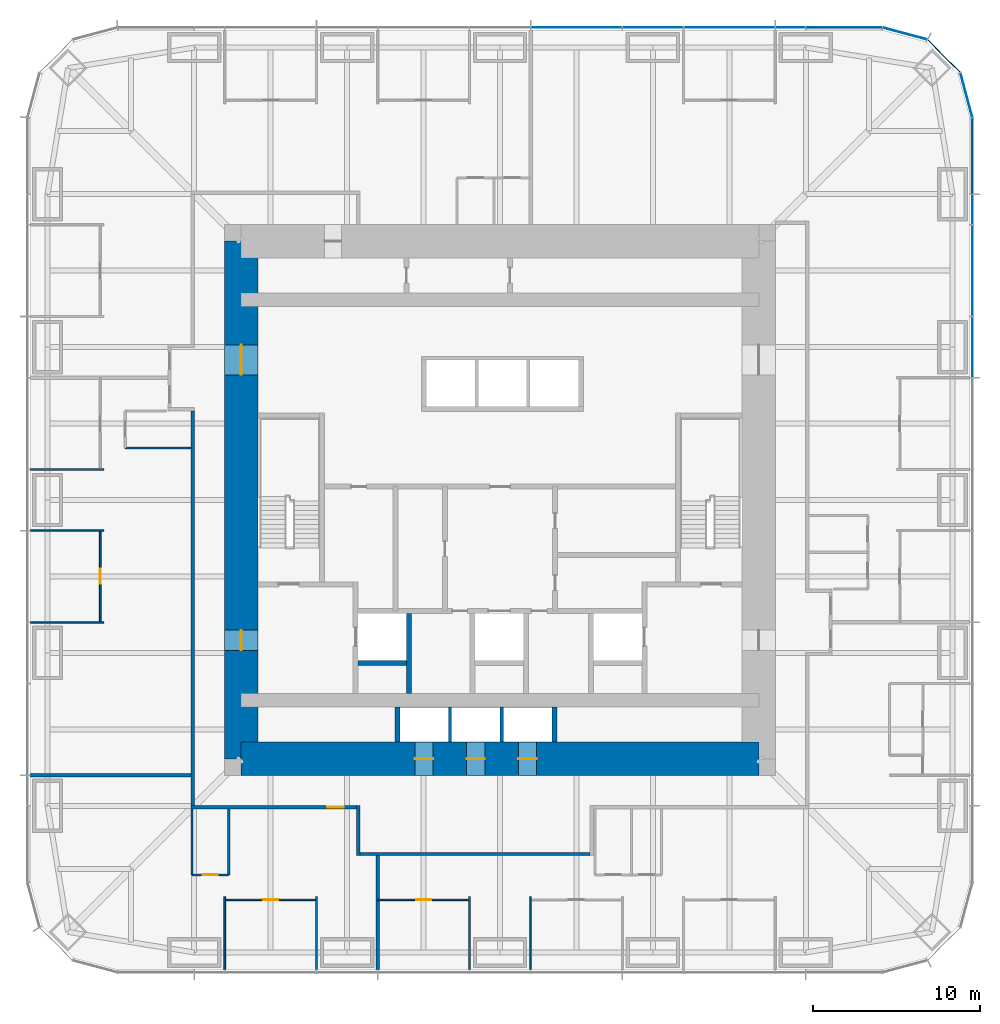
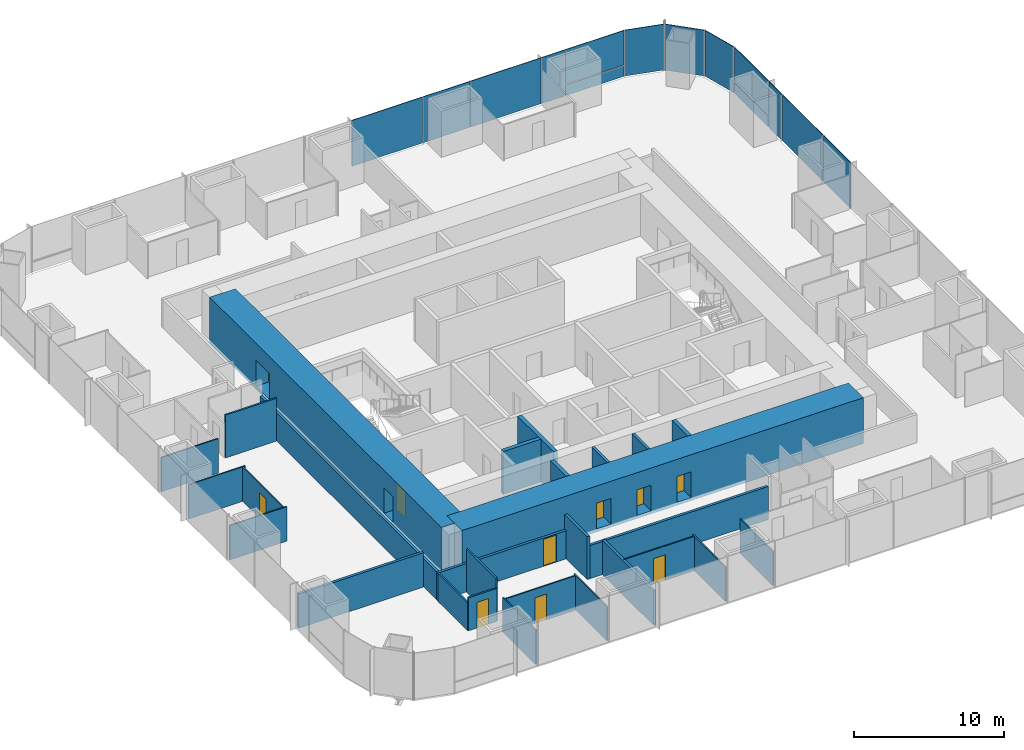
# One storey, part 7 of 11: 28 walls, 14 plates, 10 doors, 10 openings, 3 elements without a shape of their own.
"""IFC4 building model written with IfcOpenShell, lengths in metres."""

import ifcopenshell
import ifcopenshell.guid

model = None  # the IFC model being written
_history = None  # IfcOwnerHistory: only IFC2X3 demands one
_inside = {}  # id of a spatial element -> (the spatial element, [elements in it])
_under = {}  # id of a project, library or spatial element -> (it, [spatial elements below it])
_declared = {}  # id of a project -> (the project, [libraries it declares])
_typed = {}  # id of a type object -> (the type object, [elements of that type])
_made_of = {}  # id of a material, layer set ... -> (it, [elements and type objects made of it])


def new_model(schema):
    """Start an empty IFC model of exactly this schema.

    Asked for "IFC4X3", IfcOpenShell would pick the latest addendum, in which some entities
    have other attributes; the version numbers below select the first issue.
    IFC2X3 requires an IfcOwnerHistory on every rooted entity: one is made here for all.
    """
    global model, _history
    if schema == "IFC4X3":
        model = ifcopenshell.file(schema_version=(4, 3, 0, 0))
    else:
        model = ifcopenshell.file(schema=schema)
    _inside.clear()
    _under.clear()
    _declared.clear()
    _typed.clear()
    _made_of.clear()
    _history = None
    if model.schema == "IFC2X3":
        org = make("IfcOrganization", Name="unknown")
        user = make(
            "IfcPersonAndOrganization",
            ThePerson=make("IfcPerson", FamilyName="unknown"),
            TheOrganization=org,
        )
        app = make(
            "IfcApplication",
            ApplicationDeveloper=org,
            Version="unknown",
            ApplicationFullName="unknown",
            ApplicationIdentifier="unknown",
        )
        _history = make(
            "IfcOwnerHistory",
            OwningUser=user,
            OwningApplication=app,
            ChangeAction="ADDED",
            CreationDate=0,
        )
    return model


def make(cls, **values):
    """One entity of the class cls with the attributes given. An attribute that is None is left unset."""
    return model.create_entity(
        cls, **{name: value for name, value in values.items() if value is not None}
    )


def rooted(cls, **values):
    """An entity with a GlobalId (a new one), such as an element, a storey or a relation."""
    return make(cls, GlobalId=ifcopenshell.guid.new(), OwnerHistory=_history, **values)


def si_unit(unit_type, name, prefix=None):
    """IfcSIUnit, for example si_unit("LENGTHUNIT", "METRE", prefix="MILLI")."""
    return make("IfcSIUnit", UnitType=unit_type, Prefix=prefix, Name=name)


def assignment(units):
    """IfcUnitAssignment: the units of a project."""
    return None if units is None else make("IfcUnitAssignment", Units=units)


def point(xyz):
    """IfcCartesianPoint."""
    return None if xyz is None else make("IfcCartesianPoint", Coordinates=xyz)


def direction(xyz):
    """IfcDirection."""
    return None if xyz is None else make("IfcDirection", DirectionRatios=xyz)


def frame(location, z_axis=None, x_axis=None):
    """IfcAxis2Placement3D, a coordinate frame: its origin and axes. An axis left out is left unset."""
    return make(
        "IfcAxis2Placement3D",
        Location=point(location),
        Axis=direction(z_axis),
        RefDirection=direction(x_axis),
    )


def frame_2d(location, x_axis=None):
    """IfcAxis2Placement2D, a coordinate frame in the plane: its origin and x axis."""
    return make(
        "IfcAxis2Placement2D", Location=point(location), RefDirection=direction(x_axis)
    )


def origin():
    """The frame at (0, 0, 0) with its axes left unset."""
    return frame((0.0, 0.0, 0.0))


def origin_2d():
    """The frame at (0, 0) in the plane with its x axis left unset."""
    return frame_2d((0.0, 0.0))


def place(relative_to, where):
    """IfcLocalPlacement: puts the frame where relative to a parent placement (None: the world)."""
    return make(
        "IfcLocalPlacement", PlacementRelTo=relative_to, RelativePlacement=where
    )


def context(
    kind, dimensions, precision=None, world=None, true_north=None, identifier=None
):
    """IfcGeometricRepresentationContext, for example the 3D "Model" context."""
    return make(
        "IfcGeometricRepresentationContext",
        ContextIdentifier=identifier,
        ContextType=kind,
        CoordinateSpaceDimension=dimensions,
        Precision=precision,
        WorldCoordinateSystem=world,
        TrueNorth=true_north,
    )


def subcontext(parent, identifier, kind, view, scale=None):
    """IfcGeometricRepresentationSubContext, for example "Body" below "Model"."""
    return make(
        "IfcGeometricRepresentationSubContext",
        ContextIdentifier=identifier,
        ContextType=kind,
        ParentContext=parent,
        TargetScale=scale,
        TargetView=view,
    )


def project(units=None, contexts=None):
    """IfcProject with its units and contexts."""
    return rooted(
        "IfcProject",
        Name="project",
        RepresentationContexts=contexts,
        UnitsInContext=assignment(units),
    )


def spatial(cls, under=None, at=None, **own):
    """A site, building, storey or space (cls), placed at a placement, below another one or the project."""
    s = rooted(cls, ObjectPlacement=at, **own)
    if under is not None:
        _under.setdefault(under.id(), (under, []))[1].append(s)
    return s


def profile(cls, at=None, kind="AREA", **sizes):
    """A parametric profile (cls). Its sizes go by their IFC names, for example OverallWidth=200.0."""
    return make(cls, ProfileType=kind, Position=at, **sizes)


def rectangle(**sizes):
    """IfcRectangleProfileDef."""
    return profile("IfcRectangleProfileDef", **sizes)


def extrude(swept, where, along, depth):
    """IfcExtrudedAreaSolid: the profile swept, set in the frame where, extruded along a direction by depth."""
    return make(
        "IfcExtrudedAreaSolid",
        SweptArea=swept,
        Position=where,
        ExtrudedDirection=direction(along),
        Depth=depth,
    )


def shape(context_of_items, identifier, shape_type, items):
    """IfcShapeRepresentation: the items that make up one representation, for example the "Body"."""
    return make(
        "IfcShapeRepresentation",
        ContextOfItems=context_of_items,
        RepresentationIdentifier=identifier,
        RepresentationType=shape_type,
        Items=items,
    )


def material(Name=None, Category=None):
    """IfcMaterial."""
    return make("IfcMaterial", Name=Name, Category=Category)


def layer(
    of_material, thickness, ventilated=None, Name=None, Category=None, Priority=None
):
    """IfcMaterialLayer: one layer of a wall or slab, of a material (None: an air gap)."""
    return make(
        "IfcMaterialLayer",
        Material=of_material,
        LayerThickness=thickness,
        IsVentilated=ventilated,
        Name=Name,
        Category=Category,
        Priority=Priority,
    )


def layer_set(layers, Name=None):
    """IfcMaterialLayerSet."""
    return make("IfcMaterialLayerSet", MaterialLayers=layers, LayerSetName=Name)


def made_of(thing, what):
    """Note that an element or type object is made of a material, layer set ...; save() writes the relation."""
    if what is not None:
        _made_of.setdefault(what.id(), (what, []))[1].append(thing)
    return thing


def type_object(cls, material=None, **own):
    """A type object (cls), such as IfcWallType, which elements share."""
    return made_of(rooted(cls, **own), material)


def element(
    cls,
    number,
    at=None,
    inside=None,
    cuts=None,
    type_object=None,
    material=None,
    context=None,
    identifier="Body",
    shape_type=None,
    held_by="IfcProductDefinitionShape",
    body=None,
    shapes=None,
    **own,
):
    """One element of the class cls, such as IfcWall. Its Tag is "e" and its number.

    at: its placement. inside: the storey or other place that contains it. cuts: it is an
    opening in that element (IfcRelVoidsElement). A single representation is given by context,
    identifier, shape_type and body (its items); several are given by shapes. held_by: the class
    of the entity that holds the representations. save() writes the other relations.
    """
    e = rooted(cls, Tag="e%d" % number, ObjectPlacement=at, **own)
    if body is not None:
        shapes = [shape(context, identifier, shape_type, body)]
    if shapes is not None:
        e.Representation = make(held_by, Representations=shapes)
    if inside is not None:
        _inside.setdefault(inside.id(), (inside, []))[1].append(e)
    if cuts is not None:
        rooted(
            "IfcRelVoidsElement", RelatingBuildingElement=cuts, RelatedOpeningElement=e
        )
    if type_object is not None:
        _typed.setdefault(type_object.id(), (type_object, []))[1].append(e)
    return made_of(e, material)


def fill(opening, filler):
    """IfcRelFillsElement: the door or window that sits in an opening."""
    return rooted(
        "IfcRelFillsElement",
        RelatingOpeningElement=opening,
        RelatedBuildingElement=filler,
    )


def aggregate(whole, parts):
    """IfcRelAggregates: a whole, such as a stair, and the parts it consists of."""
    return rooted("IfcRelAggregates", RelatingObject=whole, RelatedObjects=parts)


def save(model, path):
    """Write the relations noted so far, then the file.

    IfcRelAggregates (storeys below a building ...), IfcRelContainedInSpatialStructure (elements
    in a storey), IfcRelDefinesByType, IfcRelAssociatesMaterial and IfcRelDeclares: one each for
    every whole, place, type object, material and project.
    """
    for whole, parts in _under.values():
        aggregate(whole, parts)
    for where, things in _inside.values():
        rooted(
            "IfcRelContainedInSpatialStructure",
            RelatedElements=things,
            RelatingStructure=where,
        )
    for kind, things in _typed.values():
        rooted("IfcRelDefinesByType", RelatedObjects=things, RelatingType=kind)
    for what, things in _made_of.values():
        rooted("IfcRelAssociatesMaterial", RelatedObjects=things, RelatingMaterial=what)
    for by, libraries in _declared.values():
        rooted("IfcRelDeclares", RelatingContext=by, RelatedDefinitions=libraries)
    model.write(path)


model = new_model("IFC4")

# Units and contexts
model_context = context("Model", 3, precision=1e-05, world=origin(), true_north=direction((0.0, 1.0)))
body_context = subcontext(model_context, "Body", "Model", "MODEL_VIEW")
ifc_project = project(units=[si_unit("LENGTHUNIT", "METRE"), si_unit("AREAUNIT", "SQUARE_METRE"), si_unit("VOLUMEUNIT", "CUBIC_METRE"), si_unit("PLANEANGLEUNIT", "RADIAN"), si_unit("MASSUNIT", "GRAM", prefix="KILO")], contexts=[model_context])

# Site, building, storey
site_placement = place(None, origin())
site = spatial("IfcSite", under=ifc_project, at=site_placement, CompositionType="ELEMENT")
building_placement = place(site_placement, origin())
building = spatial("IfcBuilding", under=site, at=building_placement, Name="Khuree Lantern Residences", CompositionType="ELEMENT")
storey_placement = place(building_placement, frame((0.0, 0.0, 174.75)))
storey = spatial("IfcBuildingStorey", under=building, at=storey_placement, Name="L44", CompositionType="ELEMENT", Elevation=174.75)

# Curtain wall, plates
ifc_material_1 = material(Name="Bronze anodised aluminium", Category="aluminium")
curtain_wall_type_1 = type_object("IfcCurtainWallType", Name="CW-T2 TOWER CORNER CURTAIN WALL", PredefinedType="USERDEFINED", material=ifc_material_1)
curtain_wall_1_placement = place(storey_placement, origin())
curtain_wall_1 = element("IfcCurtainWall", 1, at=curtain_wall_1_placement, inside=storey, type_object=curtain_wall_type_1, Name="L44 NORTH-EAST CORNER CURTAIN WALL", ObjectType="Faceted corner curtain wall", PredefinedType="USERDEFINED")
ifc_material_2 = material(Name="Bronze tinted triple glazing", Category="glass")
ifc_layer_1 = layer(ifc_material_2, 0.048095703125)
ifc_layer_set_1 = layer_set([ifc_layer_1], Name="FACET PANEL P4")
plate_type_1 = type_object("IfcPlateType", Name="FACET PANEL P4", PredefinedType="CURTAIN_PANEL", material=ifc_layer_set_1)
plate_1_placement = place(storey_placement, frame((27.938720703125, 24.248046875, 0.0), z_axis=(0.0, 0.0, 1.0), x_axis=(-0.258819105321, 0.965925810153, 0.0)))
plate_1 = element("IfcPlate", 2, at=plate_1_placement, type_object=plate_type_1, Name="L44 NORTH-EAST CORNER PANEL 15.1", PredefinedType="CURTAIN_PANEL", context=body_context, shape_type="SweptSolid", body=[
    extrude(rectangle(XDim=2.71923828125, YDim=0.048095703125, at=origin_2d()), origin(), (0.0, 0.0, 1.0), 3.75),
])
plate_2_placement = place(storey_placement, frame((26.58837890625, 26.58837890625, 0.0), z_axis=(0.0, 0.0, 1.0), x_axis=(-0.707106781187, 0.707106781187, 0.0)))
plate_2 = element("IfcPlate", 3, at=plate_2_placement, type_object=plate_type_1, Name="L44 NORTH-EAST CORNER PANEL 16.1", PredefinedType="CURTAIN_PANEL", context=body_context, shape_type="SweptSolid", body=[
    extrude(rectangle(XDim=2.715087890625, YDim=0.048095703125, at=origin_2d()), origin(), (0.0, 0.0, 1.0), 3.75),
])
plate_3_placement = place(storey_placement, frame((24.248046875, 27.938720703125, 0.0), z_axis=(0.0, 0.0, 1.0), x_axis=(-0.965925810153, 0.258819105321, 0.0)))
plate_3 = element("IfcPlate", 4, at=plate_3_placement, type_object=plate_type_1, Name="L44 NORTH-EAST CORNER PANEL 17.1", PredefinedType="CURTAIN_PANEL", context=body_context, shape_type="SweptSolid", body=[
    extrude(rectangle(XDim=2.71923828125, YDim=0.048095703125, at=origin_2d()), origin(), (0.0, 0.0, 1.0), 3.75),
])
aggregate(curtain_wall_1, [plate_1, plate_2, plate_3])

# Curtain wall, plate
curtain_wall_type_2 = type_object("IfcCurtainWallType", Name="CW-T1 TOWER FACE CURTAIN WALL", PredefinedType="USERDEFINED", material=ifc_material_1)
curtain_wall_2_placement = place(storey_placement, origin())
curtain_wall_2 = element("IfcCurtainWall", 5, at=curtain_wall_2_placement, inside=storey, type_object=curtain_wall_type_2, Name="L44 EAST FACE CURTAIN WALL", ObjectType="Stick-built curtain wall", PredefinedType="USERDEFINED")
ifc_material_3 = material(Name="Bronze tinted triple glazing with a ceramic-fritted spandrel band", Category="glass")
ifc_layer_2 = layer(ifc_material_3, 0.048095703125)
ifc_layer_set_2 = layer_set([ifc_layer_2], Name="FIXED LIGHT PANEL P11")
plate_type_2 = type_object("IfcPlateType", Name="FIXED LIGHT PANEL P11", PredefinedType="CURTAIN_PANEL", material=ifc_layer_set_2)
plate_4_placement = place(storey_placement, frame((28.300048828125, 13.739990234375, 0.0), z_axis=(0.0, 0.0, 1.0), x_axis=(0.0, 1.0, 0.0)))
plate_4 = element("IfcPlate", 6, at=plate_4_placement, type_object=plate_type_2, Name="L44 EAST FACE PANEL 12.1", PredefinedType="CURTAIN_PANEL", context=body_context, shape_type="SweptSolid", body=[
    extrude(rectangle(XDim=5.430908203125, YDim=0.048095703125, at=origin_2d()), origin(), (0.0, 0.0, 1.0), 3.75),
])

# Curtain wall, plates
curtain_wall_3_placement = place(storey_placement, origin())
curtain_wall_3 = element("IfcCurtainWall", 7, at=curtain_wall_3_placement, inside=storey, type_object=curtain_wall_type_2, Name="L44 NORTH FACE CURTAIN WALL", ObjectType="Stick-built curtain wall", PredefinedType="USERDEFINED")
plate_5_placement = place(storey_placement, frame((13.739990234375, 28.300048828125, 0.0), z_axis=(0.0, 0.0, 1.0), x_axis=(-1.0, 0.0, 0.0)))
plate_5 = element("IfcPlate", 8, at=plate_5_placement, type_object=plate_type_2, Name="L44 NORTH FACE PANEL 20.1", PredefinedType="CURTAIN_PANEL", context=body_context, shape_type="SweptSolid", body=[
    extrude(rectangle(XDim=5.430908203125, YDim=0.048095703125, at=origin_2d()), origin(), (0.0, 0.0, 1.0), 3.75),
])
plate_6_placement = place(storey_placement, frame((4.580078125, 28.300048828125, 0.0), z_axis=(0.0, 0.0, 1.0), x_axis=(-1.0, 0.0, 0.0)))
plate_6 = element("IfcPlate", 9, at=plate_6_placement, type_object=plate_type_2, Name="L44 NORTH FACE PANEL 22.1", PredefinedType="CURTAIN_PANEL", context=body_context, shape_type="SweptSolid", body=[
    extrude(rectangle(XDim=5.430908203125, YDim=0.048095703125, at=origin_2d()), origin(), (0.0, 0.0, 1.0), 3.75),
])

# Plate
ifc_material_4 = material(Name="Bronze tinted triple glazing, two aluminium-framed sashes in one frame", Category="aluminium")
ifc_layer_3 = layer(ifc_material_4, 0.048095703125)
ifc_layer_set_3 = layer_set([ifc_layer_3], Name="SASH PAIR PANEL P12")
plate_type_3 = type_object("IfcPlateType", Name="SASH PAIR PANEL P12", PredefinedType="CURTAIN_PANEL", material=ifc_layer_set_3)
plate_7_placement = place(storey_placement, frame((28.300048828125, 9.159912109375, 0.0), z_axis=(0.0, 0.0, 1.0), x_axis=(0.0, 1.0, 0.0)))
plate_7 = element("IfcPlate", 10, at=plate_7_placement, type_object=plate_type_3, Name="L44 EAST FACE PANEL 11.1", PredefinedType="CURTAIN_PANEL", context=body_context, shape_type="SweptSolid", body=[
    extrude(rectangle(XDim=3.59912109375, YDim=0.048095703125, at=origin_2d()), origin(), (0.0, 0.0, 1.0), 3.75),
])

plate_8_placement = place(storey_placement, frame((9.159912109375, 28.300048828125, 0.0), z_axis=(0.0, 0.0, 1.0), x_axis=(-1.0, 0.0, 0.0)))
plate_8 = element("IfcPlate", 11, at=plate_8_placement, type_object=plate_type_3, Name="L44 NORTH FACE PANEL 21.1", PredefinedType="CURTAIN_PANEL", context=body_context, shape_type="SweptSolid", body=[
    extrude(rectangle(XDim=3.59912109375, YDim=0.048095703125, at=origin_2d()), origin(), (0.0, 0.0, 1.0), 3.75),
])

ifc_material_5 = material(Name="Bronze tinted triple glazing, aluminium-framed sash", Category="aluminium")
ifc_layer_4 = layer(ifc_material_5, 0.048095703125)
ifc_layer_set_4 = layer_set([ifc_layer_4], Name="SASH PANEL P3")
plate_type_4 = type_object("IfcPlateType", Name="SASH PANEL P3", PredefinedType="CURTAIN_PANEL", material=ifc_layer_set_4)
plate_9_placement = place(storey_placement, frame((28.300048828125, 17.404052734375, 0.0), z_axis=(0.0, 0.0, 1.0), x_axis=(0.0, 1.0, 0.0)))
plate_9 = element("IfcPlate", 12, at=plate_9_placement, type_object=plate_type_4, Name="L44 EAST FACE PANEL 13.1", PredefinedType="CURTAIN_PANEL", context=body_context, shape_type="SweptSolid", body=[
    extrude(rectangle(XDim=1.76708984375, YDim=0.048095703125, at=origin_2d()), origin(), (0.0, 0.0, 1.0), 3.75),
])

plate_10_placement = place(storey_placement, frame((17.404052734375, 28.300048828125, 0.0), z_axis=(0.0, 0.0, 1.0), x_axis=(-1.0, 0.0, 0.0)))
plate_10 = element("IfcPlate", 13, at=plate_10_placement, type_object=plate_type_4, Name="L44 NORTH FACE PANEL 19.1", PredefinedType="CURTAIN_PANEL", context=body_context, shape_type="SweptSolid", body=[
    extrude(rectangle(XDim=1.76708984375, YDim=0.048095703125, at=origin_2d()), origin(), (0.0, 0.0, 1.0), 3.75),
])

ifc_material_6 = material(Name="Bronze anodised aluminium insulated spandrel", Category="aluminium")
ifc_layer_5 = layer(ifc_material_6, 0.06005859375)
ifc_layer_set_5 = layer_set([ifc_layer_5], Name="SPANDREL PANEL P2")
plate_type_5 = type_object("IfcPlateType", Name="SPANDREL PANEL P2", PredefinedType="CURTAIN_PANEL", material=ifc_layer_set_5)
plate_11_placement = place(storey_placement, frame((28.300048828125, 20.60791015625, 0.0), z_axis=(0.0, 0.0, 1.0), x_axis=(0.0, 1.0, 0.0)))
plate_11 = element("IfcPlate", 14, at=plate_11_placement, type_object=plate_type_5, Name="L44 EAST FACE PANEL 14.1", PredefinedType="CURTAIN_PANEL", context=body_context, shape_type="SweptSolid", body=[
    extrude(rectangle(XDim=4.5107421875, YDim=0.06005859375, at=origin_2d()), origin(), (0.0, 0.0, 1.0), 0.867431640625),
])

plate_12_placement = place(storey_placement, frame((20.60791015625, 28.300048828125, 0.0), z_axis=(0.0, 0.0, 1.0), x_axis=(-1.0, 0.0, 0.0)))
plate_12 = element("IfcPlate", 15, at=plate_12_placement, type_object=plate_type_5, Name="L44 NORTH FACE PANEL 18.1", PredefinedType="CURTAIN_PANEL", context=body_context, shape_type="SweptSolid", body=[
    extrude(rectangle(XDim=4.5107421875, YDim=0.06005859375, at=origin_2d()), origin(), (0.0, 0.0, 1.0), 0.867431640625),
])

ifc_layer_6 = layer(ifc_material_2, 0.048095703125)
ifc_layer_set_6 = layer_set([ifc_layer_6], Name="VISION PANEL P1")
plate_type_6 = type_object("IfcPlateType", Name="VISION PANEL P1", PredefinedType="CURTAIN_PANEL", material=ifc_layer_set_6)
plate_13_placement = place(storey_placement, frame((28.300048828125, 20.6083984375, 0.9326171875), z_axis=(0.0, 0.0, 1.0), x_axis=(0.0, 1.0, 0.0)))
plate_13 = element("IfcPlate", 16, at=plate_13_placement, type_object=plate_type_6, Name="L44 EAST FACE PANEL 14.2", PredefinedType="CURTAIN_PANEL", context=body_context, shape_type="SweptSolid", body=[
    extrude(rectangle(XDim=4.511474609375, YDim=0.048095703125, at=origin_2d()), origin(), (0.0, 0.0, 1.0), 2.8173828125),
])

aggregate(curtain_wall_2, [plate_7, plate_4, plate_9, plate_11, plate_13])

plate_14_placement = place(storey_placement, frame((20.6083984375, 28.300048828125, 0.9326171875), z_axis=(0.0, 0.0, 1.0), x_axis=(-1.0, 0.0, 0.0)))
plate_14 = element("IfcPlate", 17, at=plate_14_placement, type_object=plate_type_6, Name="L44 NORTH FACE PANEL 18.2", PredefinedType="CURTAIN_PANEL", context=body_context, shape_type="SweptSolid", body=[
    extrude(rectangle(XDim=4.511474609375, YDim=0.048095703125, at=origin_2d()), origin(), (0.0, 0.0, 1.0), 2.8173828125),
])

aggregate(curtain_wall_3, [plate_12, plate_14, plate_10, plate_5, plate_8, plate_6])

# Wall
ifc_material_7 = material(Name="Moisture-resistant gypsum board on steel studs", Category="steel")
ifc_layer_7 = layer(ifc_material_7, 0.125)
ifc_layer_set_7 = layer_set([ifc_layer_7], Name="BATHROOM WALL BTW125")
wall_type_1 = type_object("IfcWallType", Name="BATHROOM WALL BTW125", PredefinedType="PARTITIONING", material=ifc_layer_set_7)
wall_1_placement = place(storey_placement, frame((-18.5, 3.1279296875, 0.0), z_axis=(0.0, 0.0, 1.0), x_axis=(-1.0, 0.0, 0.0)))
element("IfcWall", 18, at=wall_1_placement, inside=storey, type_object=wall_type_1, Name="L44 BATHROOM WALL 03", PredefinedType="PARTITIONING", context=body_context, shape_type="SweptSolid", body=[
    extrude(rectangle(XDim=3.949951171875, YDim=0.125, at=frame_2d((1.97509765625, 0.0))), origin(), (0.0, 0.0, 1.0), 3.5),
])

# Wall, opening, door
wall_2_placement = place(storey_placement, frame((-18.449951171875, -22.449951171875, 0.0), z_axis=(0.0, 0.0, 1.0), x_axis=(1.0, 0.0, 0.0)))
wall_2 = element("IfcWall", 19, at=wall_2_placement, inside=storey, type_object=wall_type_1, Name="L44 BATHROOM WALL 04", PredefinedType="PARTITIONING", context=body_context, shape_type="SweptSolid", body=[
    extrude(rectangle(XDim=2.199951171875, YDim=0.125, at=frame_2d((1.10009765625, 0.0))), origin(), (0.0, 0.0, 1.0), 2.699951171875),
])
opening_1_placement = place(wall_2_placement, frame((0.64990234375, 0.0, 0.0)))
opening_1 = element("IfcOpeningElement", 20, at=opening_1_placement, cuts=wall_2, Name="Opening 44-040", PredefinedType="OPENING", context=body_context, shape_type="SweptSolid", body=[
    extrude(rectangle(XDim=0.89990234375, YDim=2.10009765625, at=frame_2d((0.449951171875, 1.050048828125))), frame((0.0, 0.072509765625, 0.0), z_axis=(0.0, -1.0, 0.0), x_axis=(1.0, 0.0, 0.0)), (0.0, 0.0, 1.0), 0.14501953125),
])
ifc_material_8 = material(Name="Timber door leaf in hardwood frame", Category="wood")
door_type_1 = type_object("IfcDoorType", Name="BATHROOM DOOR 900X2100", OperationType="SINGLE_SWING_LEFT", PredefinedType="DOOR", material=ifc_material_8)
door_1_placement = place(opening_1_placement, origin())
door_1 = element("IfcDoor", 21, at=door_1_placement, inside=storey, type_object=door_type_1, Name="Bathroom door 44-040", OperationType="SINGLE_SWING_LEFT", OverallHeight=2.10009765625, OverallWidth=0.89990234375, PredefinedType="DOOR", context=body_context, shape_type="SweptSolid", body=[
    extrude(rectangle(XDim=0.89990234375, YDim=2.10009765625, at=frame_2d((0.449951171875, 1.050048828125))), frame((0.0, 0.02490234375, 0.0), z_axis=(0.0, -1.0, 0.0), x_axis=(1.0, 0.0, 0.0)), (0.0, 0.0, 1.0), 0.050048828125),
])
fill(opening_1, door_1)

# Walls
wall_3_placement = place(storey_placement, frame((-18.449951171875, -18.5, 0.0), z_axis=(0.0, 0.0, 1.0), x_axis=(0.0, -1.0, 0.0)))
element("IfcWall", 22, at=wall_3_placement, inside=storey, type_object=wall_type_1, Name="L44 BATHROOM WALL 04", PredefinedType="PARTITIONING", context=body_context, shape_type="SweptSolid", body=[
    extrude(rectangle(XDim=3.949951171875, YDim=0.125, at=frame_2d((1.97509765625, 0.0))), origin(), (0.0, 0.0, 1.0), 2.300048828125),
])
wall_4_placement = place(storey_placement, frame((-16.25, -18.5, 0.0), z_axis=(0.0, 0.0, 1.0), x_axis=(0.0, -1.0, 0.0)))
element("IfcWall", 23, at=wall_4_placement, inside=storey, type_object=wall_type_1, Name="L44 BATHROOM WALL 04", PredefinedType="PARTITIONING", context=body_context, shape_type="SweptSolid", body=[
    extrude(rectangle(XDim=3.949951171875, YDim=0.125, at=frame_2d((1.97509765625, 0.0))), origin(), (0.0, 0.0, 1.0), 3.5),
])
ifc_material_9 = material(Name="Dense concrete blockwork", Category="masonry")
ifc_layer_8 = layer(ifc_material_9, 0.300048828125)
ifc_layer_set_8 = layer_set([ifc_layer_8], Name="CORE PARTITION WALL CPW300 EI 120")
wall_type_2 = type_object("IfcWallType", Name="CORE PARTITION WALL CPW300 EI 120", PredefinedType="PARTITIONING", material=ifc_layer_set_8)
wall_5_placement = place(storey_placement, frame((-5.449951171875, -11.60009765625, 0.0), z_axis=(0.0, 0.0, 1.0), x_axis=(0.0, 1.0, 0.0)))
element("IfcWall", 24, at=wall_5_placement, inside=storey, type_object=wall_type_2, Name="L44 CORE WALL FL1E", PredefinedType="PARTITIONING", context=body_context, shape_type="SweptSolid", body=[
    extrude(rectangle(XDim=4.800048828125, YDim=0.300048828125, at=frame_2d((2.39990234375, 0.0))), origin(), (0.0, 0.0, 1.0), 3.5),
])
wall_6_placement = place(storey_placement, frame((-8.5, -9.75, 0.0), z_axis=(0.0, 0.0, 1.0), x_axis=(1.0, 0.0, 0.0)))
element("IfcWall", 25, at=wall_6_placement, inside=storey, type_object=wall_type_2, Name="L44 CORE WALL FL1S", PredefinedType="PARTITIONING", context=body_context, shape_type="SweptSolid", body=[
    extrude(rectangle(XDim=2.89990234375, YDim=0.300048828125, at=frame_2d((1.449951171875, 0.0))), origin(), (0.0, 0.0, 1.0), 3.5),
])
for number, where, z_axis, x_axis, name in (
    (26, (-6.14990234375, -14.5, 0.0), (0.0, 0.0, 1.0), (0.0, 1.0, 0.0), "L44 CORE WALL PMW"),
    (27, (3.25, -14.5, 0.0), (0.0, 0.0, 1.0), (0.0, 1.0, 0.0), "L44 CORE WALL PME"),
):
    element("IfcWall", number, at=place(storey_placement, frame(where, z_axis=z_axis, x_axis=x_axis)), inside=storey, type_object=wall_type_2, Name=name, PredefinedType="PARTITIONING", context=body_context, shape_type="SweptSolid", body=[
        extrude(rectangle(XDim=2.10009765625, YDim=0.300048828125, at=frame_2d((1.050048828125, 0.0))), origin(), (0.0, 0.0, 1.0), 3.5),
    ])
ifc_material_10 = material(Name="Gypsum board on steel studs", Category="steel")
ifc_layer_9 = layer(ifc_material_10, 0.199951171875)
ifc_layer_set_9 = layer_set([ifc_layer_9], Name="CORRIDOR WALL CRW200 EI 60")
wall_type_3 = type_object("IfcWallType", Name="CORRIDOR WALL CRW200 EI 60", PredefinedType="PARTITIONING", material=ifc_layer_set_9)
wall_7_placement = place(storey_placement, frame((-18.39990234375, 5.327880859375, 0.0), z_axis=(0.0, 0.0, 1.0), x_axis=(0.0, -1.0, 0.0)))
element("IfcWall", 28, at=wall_7_placement, inside=storey, type_object=wall_type_3, Name="L44 CORRIDOR WALL WEST 2", PredefinedType="PARTITIONING", context=body_context, shape_type="SweptSolid", body=[
    extrude(rectangle(XDim=23.6279296875, YDim=0.199951171875, at=frame_2d((11.81396484375, 0.0))), origin(), (0.0, 0.0, 1.0), 2.300048828125),
])
wall_8_placement = place(storey_placement, frame((-8.5, -18.300048828125, 0.0), z_axis=(0.0, 0.0, 1.0), x_axis=(0.0, -1.0, 0.0)))
element("IfcWall", 29, at=wall_8_placement, inside=storey, type_object=wall_type_3, Name="L44 LIFT LOBBY WALL", PredefinedType="PARTITIONING", context=body_context, shape_type="SweptSolid", body=[
    extrude(rectangle(XDim=3.0, YDim=0.199951171875, at=frame_2d((1.5, 0.0))), origin(), (0.0, 0.0, 1.0), 3.5),
])
wall_9_placement = place(storey_placement, frame((5.39990234375, -21.199951171875, 0.0), z_axis=(0.0, 0.0, 1.0), x_axis=(-1.0, 0.0, 0.0)))
element("IfcWall", 30, at=wall_9_placement, inside=storey, type_object=wall_type_3, Name="L44 LIFT LOBBY WALL", PredefinedType="PARTITIONING", context=body_context, shape_type="SweptSolid", body=[
    extrude(rectangle(XDim=13.7998046875, YDim=0.199951171875, at=frame_2d((6.89990234375, 0.0))), origin(), (0.0, 0.0, 1.0), 2.699951171875),
])

# Wall, opening, door
wall_10_placement = place(storey_placement, frame((-8.60009765625, -18.39990234375, 0.0), z_axis=(0.0, 0.0, 1.0), x_axis=(-1.0, 0.0, 0.0)))
wall_10 = element("IfcWall", 31, at=wall_10_placement, inside=storey, type_object=wall_type_3, Name="L44 CORRIDOR WALL SOUTH 2", PredefinedType="PARTITIONING", context=body_context, shape_type="SweptSolid", body=[
    extrude(rectangle(XDim=9.89990234375, YDim=0.199951171875, at=frame_2d((4.949951171875, 0.0))), origin(), (0.0, 0.0, 1.0), 2.300048828125),
])
opening_2_placement = place(wall_10_placement, frame((0.75, 0.0, 0.0)))
opening_2 = element("IfcOpeningElement", 32, at=opening_2_placement, cuts=wall_10, Name="Opening 44-041", PredefinedType="OPENING", context=body_context, shape_type="SweptSolid", body=[
    extrude(rectangle(XDim=1.0, YDim=2.199951171875, at=frame_2d((0.5, 1.10009765625))), frame((0.0, 0.10986328125, 0.0), z_axis=(0.0, -1.0, 0.0), x_axis=(1.0, 0.0, 0.0)), (0.0, 0.0, 1.0), 0.219970703125),
])
door_type_2 = type_object("IfcDoorType", Name="APARTMENT ENTRANCE DOOR 1000X2200 EI 30S", OperationType="SINGLE_SWING_LEFT", PredefinedType="DOOR", material=ifc_material_8)
door_2_placement = place(opening_2_placement, origin())
door_2 = element("IfcDoor", 33, at=door_2_placement, inside=storey, type_object=door_type_2, Name="Apartment 04 entrance door 44-041", OperationType="SINGLE_SWING_LEFT", OverallHeight=2.199951171875, OverallWidth=1.0, PredefinedType="DOOR", context=body_context, shape_type="SweptSolid", body=[
    extrude(rectangle(XDim=1.0, YDim=2.199951171875, at=frame_2d((0.5, 1.10009765625))), frame((0.0, 0.02490234375, 0.0), z_axis=(0.0, -1.0, 0.0), x_axis=(1.0, 0.0, 0.0)), (0.0, 0.0, 1.0), 0.050048828125),
])
fill(opening_2, door_2)

# Wall, openings, doors
ifc_material_11 = material(Name="Concrete C70/85", Category="concrete")
ifc_layer_10 = layer(ifc_material_11, 2.0)
ifc_layer_set_10 = layer_set([ifc_layer_10], Name="CW2000-C70 CORE WALL C70 2000")
wall_type_4 = type_object("IfcWallType", Name="CW2000-C70 CORE WALL C70 2000", PredefinedType="SHEAR", material=ifc_layer_set_10)
wall_11_placement = place(storey_placement, frame((-15.5, -15.5, -0.25), z_axis=(0.0, 0.0, 1.0), x_axis=(1.0, 0.0, 0.0)))
wall_11 = element("IfcWall", 34, at=wall_11_placement, inside=storey, type_object=wall_type_4, Name="Core wall S", PredefinedType="SHEAR", context=body_context, shape_type="SweptSolid", body=[
    extrude(rectangle(XDim=31.0, YDim=2.0, at=frame_2d((15.5, 0.0))), origin(), (0.0, 0.0, 1.0), 3.75),
])
opening_3_placement = place(wall_11_placement, frame((10.39990234375, 0.0, 0.25)))
opening_3 = element("IfcOpeningElement", 35, at=opening_3_placement, cuts=wall_11, Name="Opening 44-009", PredefinedType="OPENING", context=body_context, shape_type="SweptSolid", body=[
    extrude(rectangle(XDim=1.10009765625, YDim=2.10009765625, at=frame_2d((0.550048828125, 1.050048828125))), frame((0.0, 1.010009765625, 0.0), z_axis=(0.0, -1.0, 0.0), x_axis=(1.0, 0.0, 0.0)), (0.0, 0.0, 1.0), 2.02001953125),
])
opening_4_placement = place(wall_11_placement, frame((13.5, 0.0, 0.25)))
opening_4 = element("IfcOpeningElement", 36, at=opening_4_placement, cuts=wall_11, Name="Opening 44-010", PredefinedType="OPENING", context=body_context, shape_type="SweptSolid", body=[
    extrude(rectangle(XDim=1.10009765625, YDim=2.10009765625, at=frame_2d((0.550048828125, 1.050048828125))), frame((0.0, 1.010009765625, 0.0), z_axis=(0.0, -1.0, 0.0), x_axis=(1.0, 0.0, 0.0)), (0.0, 0.0, 1.0), 2.02001953125),
])
opening_5_placement = place(wall_11_placement, frame((16.60009765625, 0.0, 0.25)))
opening_5 = element("IfcOpeningElement", 37, at=opening_5_placement, cuts=wall_11, Name="Opening 44-011", PredefinedType="OPENING", context=body_context, shape_type="SweptSolid", body=[
    extrude(rectangle(XDim=1.10009765625, YDim=2.10009765625, at=frame_2d((0.550048828125, 1.050048828125))), frame((0.0, 1.010009765625, 0.0), z_axis=(0.0, -1.0, 0.0), x_axis=(1.0, 0.0, 0.0)), (0.0, 0.0, 1.0), 2.02001953125),
])
ifc_material_12 = material(Name="Stainless steel lift landing door", Category="steel")
door_type_3 = type_object("IfcDoorType", Name="LIFT LANDING DOOR 1100X2100 E 60", OperationType="DOUBLE_DOOR_SLIDING", PredefinedType="DOOR", material=ifc_material_12)
door_3_placement = place(opening_3_placement, origin())
door_3 = element("IfcDoor", 38, at=door_3_placement, inside=storey, type_object=door_type_3, Name="Landing door PM1 44-009", OperationType="DOUBLE_DOOR_SLIDING", OverallHeight=2.10009765625, OverallWidth=1.10009765625, PredefinedType="DOOR", context=body_context, shape_type="SweptSolid", body=[
    extrude(rectangle(XDim=1.10009765625, YDim=2.10009765625, at=frame_2d((0.550048828125, 1.050048828125))), frame((0.0, 0.02490234375, 0.0), z_axis=(0.0, -1.0, 0.0), x_axis=(1.0, 0.0, 0.0)), (0.0, 0.0, 1.0), 0.050048828125),
])
fill(opening_3, door_3)
door_4_placement = place(opening_4_placement, origin())
door_4 = element("IfcDoor", 39, at=door_4_placement, inside=storey, type_object=door_type_3, Name="Landing door PM2 44-010", OperationType="DOUBLE_DOOR_SLIDING", OverallHeight=2.10009765625, OverallWidth=1.10009765625, PredefinedType="DOOR", context=body_context, shape_type="SweptSolid", body=[
    extrude(rectangle(XDim=1.10009765625, YDim=2.10009765625, at=frame_2d((0.550048828125, 1.050048828125))), frame((0.0, 0.02490234375, 0.0), z_axis=(0.0, -1.0, 0.0), x_axis=(1.0, 0.0, 0.0)), (0.0, 0.0, 1.0), 0.050048828125),
])
fill(opening_4, door_4)
door_5_placement = place(opening_5_placement, origin())
door_5 = element("IfcDoor", 40, at=door_5_placement, inside=storey, type_object=door_type_3, Name="Landing door PM3 44-011", OperationType="DOUBLE_DOOR_SLIDING", OverallHeight=2.10009765625, OverallWidth=1.10009765625, PredefinedType="DOOR", context=body_context, shape_type="SweptSolid", body=[
    extrude(rectangle(XDim=1.10009765625, YDim=2.10009765625, at=frame_2d((0.550048828125, 1.050048828125))), frame((0.0, 0.02490234375, 0.0), z_axis=(0.0, -1.0, 0.0), x_axis=(1.0, 0.0, 0.0)), (0.0, 0.0, 1.0), 0.050048828125),
])
fill(opening_5, door_5)

wall_12_placement = place(storey_placement, frame((-15.5, -15.5, -0.25), z_axis=(0.0, 0.0, 1.0), x_axis=(0.0, 1.0, 0.0)))
wall_12 = element("IfcWall", 41, at=wall_12_placement, inside=storey, type_object=wall_type_4, Name="Core wall W", PredefinedType="SHEAR", context=body_context, shape_type="SweptSolid", body=[
    extrude(rectangle(XDim=31.0, YDim=2.0, at=frame_2d((15.5, 0.0))), origin(), (0.0, 0.0, 1.0), 3.75),
])
opening_6_placement = place(wall_12_placement, frame((6.5, 0.0, 0.25)))
opening_6 = element("IfcOpeningElement", 42, at=opening_6_placement, cuts=wall_12, Name="Opening 44-002", PredefinedType="OPENING", context=body_context, shape_type="SweptSolid", body=[
    extrude(rectangle(XDim=1.199951171875, YDim=2.10009765625, at=frame_2d((0.60009765625, 1.050048828125))), frame((0.0, 1.010009765625, 0.0), z_axis=(0.0, -1.0, 0.0), x_axis=(1.0, 0.0, 0.0)), (0.0, 0.0, 1.0), 2.02001953125),
])
opening_7_placement = place(wall_12_placement, frame((23.0, 0.0, 0.25)))
opening_7 = element("IfcOpeningElement", 43, at=opening_7_placement, cuts=wall_12, Name="Opening 44-003", PredefinedType="OPENING", context=body_context, shape_type="SweptSolid", body=[
    extrude(rectangle(XDim=1.800048828125, YDim=2.10009765625, at=frame_2d((0.89990234375, 1.050048828125))), frame((0.0, 1.010009765625, 0.0), z_axis=(0.0, -1.0, 0.0), x_axis=(1.0, 0.0, 0.0)), (0.0, 0.0, 1.0), 2.02001953125),
])
ifc_material_13 = material(Name="Steel door leaf in steel frame", Category="steel")
door_type_4 = type_object("IfcDoorType", Name="LOBBY DOOR 1200X2100 EI 120", OperationType="SINGLE_SWING_LEFT", PredefinedType="DOOR", material=ifc_material_13)
door_6_placement = place(opening_6_placement, origin())
door_6 = element("IfcDoor", 44, at=door_6_placement, inside=storey, type_object=door_type_4, Name="Firefighting lobby door 44-002", OperationType="SINGLE_SWING_LEFT", OverallHeight=2.10009765625, OverallWidth=1.199951171875, PredefinedType="DOOR", context=body_context, shape_type="SweptSolid", body=[
    extrude(rectangle(XDim=1.199951171875, YDim=2.10009765625, at=frame_2d((0.60009765625, 1.050048828125))), frame((0.0, 0.02490234375, 0.0), z_axis=(0.0, -1.0, 0.0), x_axis=(1.0, 0.0, 0.0)), (0.0, 0.0, 1.0), 0.050048828125),
])
fill(opening_6, door_6)
door_type_5 = type_object("IfcDoorType", Name="LOBBY DOUBLE DOOR 1800X2100 EI 60", OperationType="DOUBLE_DOOR_SINGLE_SWING", PredefinedType="DOOR", material=ifc_material_13)
door_7_placement = place(opening_7_placement, origin())
door_7 = element("IfcDoor", 45, at=door_7_placement, inside=storey, type_object=door_type_5, Name="Lift lobby door 44-003", OperationType="DOUBLE_DOOR_SINGLE_SWING", OverallHeight=2.10009765625, OverallWidth=1.800048828125, PredefinedType="DOOR", context=body_context, shape_type="SweptSolid", body=[
    extrude(rectangle(XDim=1.800048828125, YDim=2.10009765625, at=frame_2d((0.89990234375, 1.050048828125))), frame((0.0, 0.02490234375, 0.0), z_axis=(0.0, -1.0, 0.0), x_axis=(1.0, 0.0, 0.0)), (0.0, 0.0, 1.0), 0.050048828125),
])
fill(opening_7, door_7)

# Walls
ifc_layer_11 = layer(ifc_material_10, 0.199951171875)
ifc_layer_set_11 = layer_set([ifc_layer_11], Name="DEMISING WALL DMW200 EI 90")
wall_type_5 = type_object("IfcWallType", Name="DEMISING WALL DMW200 EI 90", PredefinedType="PARTITIONING", material=ifc_layer_set_11)
wall_13_placement = place(storey_placement, frame((-18.5, -16.488037109375, 0.0), z_axis=(0.0, 0.0, 1.0), x_axis=(-1.0, 0.0, 0.0)))
element("IfcWall", 46, at=wall_13_placement, inside=storey, type_object=wall_type_5, Name="L44 DEMISING WALL 04", PredefinedType="PARTITIONING", context=body_context, shape_type="SweptSolid", body=[
    extrude(rectangle(XDim=9.64990234375, YDim=0.199951171875, at=frame_2d((4.824951171875, 0.0))), origin(), (0.0, 0.0, 1.0), 2.81005859375),
])
wall_14_placement = place(storey_placement, frame((-7.327880859375, -21.300048828125, 0.0), z_axis=(0.0, 0.0, 1.0), x_axis=(0.0, -1.0, 0.0)))
element("IfcWall", 47, at=wall_14_placement, inside=storey, type_object=wall_type_5, Name="L44 DEMISING WALL 05", PredefinedType="PARTITIONING", context=body_context, shape_type="SweptSolid", body=[
    extrude(rectangle(XDim=6.849853515625, YDim=0.199951171875, at=frame_2d((3.4248046875, 0.0))), origin(), (0.0, 0.0, 1.0), 2.81005859375),
])
ifc_layer_12 = layer(ifc_material_10, 0.10009765625)
ifc_layer_set_12 = layer_set([ifc_layer_12], Name="PARTITION PT100")
wall_type_6 = type_object("IfcWallType", Name="PARTITION PT100", PredefinedType="PARTITIONING", material=ifc_layer_set_12)
for number, where, z_axis, x_axis, name in (
    (48, (-23.75, 1.83203125, 0.0), (0.0, 0.0, 1.0), (-1.0, 0.0, 0.0), "L44 PARTITION 03"),
    (49, (-23.75, -1.83203125, 0.0), (0.0, 0.0, 1.0), (-1.0, 0.0, 0.0), "L44 PARTITION 03"),
    (50, (-23.75, -7.327880859375, 0.0), (0.0, 0.0, 1.0), (-1.0, 0.0, 0.0), "L44 PARTITION 03"),
    (51, (-16.488037109375, -23.75, 0.0), (0.0, 0.0, 1.0), (0.0, -1.0, 0.0), "L44 PARTITION 04"),
    (52, (-10.991943359375, -23.75, 0.0), (0.0, 0.0, 1.0), (0.0, -1.0, 0.0), "L44 PARTITION 04"),
    (53, (-1.83203125, -23.75, 0.0), (0.0, 0.0, 1.0), (0.0, -1.0, 0.0), "L44 PARTITION 05"),
    (54, (1.83203125, -23.75, 0.0), (0.0, 0.0, 1.0), (0.0, -1.0, 0.0), "L44 PARTITION 05"),
):
    element("IfcWall", number, at=place(storey_placement, frame(where, z_axis=z_axis, x_axis=x_axis)), inside=storey, type_object=wall_type_6, Name=name, PredefinedType="PARTITIONING", context=body_context, shape_type="SweptSolid", body=[
        extrude(rectangle(XDim=4.39990234375, YDim=0.10009765625, at=frame_2d((2.199951171875, 0.0))), origin(), (0.0, 0.0, 1.0), 2.81005859375),
    ])

# Wall, opening, door
wall_15_placement = place(storey_placement, frame((-23.949951171875, -1.83203125, 0.0), z_axis=(0.0, 0.0, 1.0), x_axis=(0.0, -1.0, 0.0)))
wall_15 = element("IfcWall", 55, at=wall_15_placement, inside=storey, type_object=wall_type_6, Name="L44 PARTITION 03", PredefinedType="PARTITIONING", context=body_context, shape_type="SweptSolid", body=[
    extrude(rectangle(XDim=5.495849609375, YDim=0.10009765625, at=frame_2d((2.748046875, 0.0))), origin(), (0.0, 0.0, 1.0), 2.81005859375),
])
opening_8_placement = place(wall_15_placement, frame((2.298095703125, 0.0, 0.0)))
opening_8 = element("IfcOpeningElement", 56, at=opening_8_placement, cuts=wall_15, Name="Opening 44-036", PredefinedType="OPENING", context=body_context, shape_type="SweptSolid", body=[
    extrude(rectangle(XDim=0.89990234375, YDim=2.10009765625, at=frame_2d((0.449951171875, 1.050048828125))), frame((0.0, 0.06005859375, 0.0), z_axis=(0.0, -1.0, 0.0), x_axis=(1.0, 0.0, 0.0)), (0.0, 0.0, 1.0), 0.1201171875),
])
door_type_6 = type_object("IfcDoorType", Name="BEDROOM DOOR 900X2100", OperationType="SINGLE_SWING_LEFT", PredefinedType="DOOR", material=ifc_material_8)
door_8_placement = place(opening_8_placement, origin())
door_8 = element("IfcDoor", 57, at=door_8_placement, inside=storey, type_object=door_type_6, Name="Bedroom door 44-036", OperationType="SINGLE_SWING_LEFT", OverallHeight=2.10009765625, OverallWidth=0.89990234375, PredefinedType="DOOR", context=body_context, shape_type="SweptSolid", body=[
    extrude(rectangle(XDim=0.89990234375, YDim=2.10009765625, at=frame_2d((0.449951171875, 1.050048828125))), frame((0.0, 0.02490234375, 0.0), z_axis=(0.0, -1.0, 0.0), x_axis=(1.0, 0.0, 0.0)), (0.0, 0.0, 1.0), 0.050048828125),
])
fill(opening_8, door_8)

wall_16_placement = place(storey_placement, frame((-16.488037109375, -23.949951171875, 0.0), z_axis=(0.0, 0.0, 1.0), x_axis=(1.0, 0.0, 0.0)))
wall_16 = element("IfcWall", 58, at=wall_16_placement, inside=storey, type_object=wall_type_6, Name="L44 PARTITION 04", PredefinedType="PARTITIONING", context=body_context, shape_type="SweptSolid", body=[
    extrude(rectangle(XDim=5.49609375, YDim=0.10009765625, at=frame_2d((2.748046875, 0.0))), origin(), (0.0, 0.0, 1.0), 2.81005859375),
])
opening_9_placement = place(wall_16_placement, frame((2.298095703125, 0.0, 0.0)))
opening_9 = element("IfcOpeningElement", 59, at=opening_9_placement, cuts=wall_16, Name="Opening 44-039", PredefinedType="OPENING", context=body_context, shape_type="SweptSolid", body=[
    extrude(rectangle(XDim=0.89990234375, YDim=2.10009765625, at=frame_2d((0.449951171875, 1.050048828125))), frame((0.0, 0.06005859375, 0.0), z_axis=(0.0, -1.0, 0.0), x_axis=(1.0, 0.0, 0.0)), (0.0, 0.0, 1.0), 0.1201171875),
])
door_9_placement = place(opening_9_placement, origin())
door_9 = element("IfcDoor", 60, at=door_9_placement, inside=storey, type_object=door_type_6, Name="Bedroom door 44-039", OperationType="SINGLE_SWING_LEFT", OverallHeight=2.10009765625, OverallWidth=0.89990234375, PredefinedType="DOOR", context=body_context, shape_type="SweptSolid", body=[
    extrude(rectangle(XDim=0.89990234375, YDim=2.10009765625, at=frame_2d((0.449951171875, 1.050048828125))), frame((0.0, 0.02490234375, 0.0), z_axis=(0.0, -1.0, 0.0), x_axis=(1.0, 0.0, 0.0)), (0.0, 0.0, 1.0), 0.050048828125),
])
fill(opening_9, door_9)

wall_17_placement = place(storey_placement, frame((-7.327880859375, -23.949951171875, 0.0), z_axis=(0.0, 0.0, 1.0), x_axis=(1.0, 0.0, 0.0)))
wall_17 = element("IfcWall", 61, at=wall_17_placement, inside=storey, type_object=wall_type_6, Name="L44 PARTITION 05", PredefinedType="PARTITIONING", context=body_context, shape_type="SweptSolid", body=[
    extrude(rectangle(XDim=5.495849609375, YDim=0.10009765625, at=frame_2d((2.748046875, 0.0))), origin(), (0.0, 0.0, 1.0), 2.81005859375),
])
opening_10_placement = place(wall_17_placement, frame((2.298095703125, 0.0, 0.0)))
opening_10 = element("IfcOpeningElement", 62, at=opening_10_placement, cuts=wall_17, Name="Opening 44-042", PredefinedType="OPENING", context=body_context, shape_type="SweptSolid", body=[
    extrude(rectangle(XDim=0.89990234375, YDim=2.10009765625, at=frame_2d((0.449951171875, 1.050048828125))), frame((0.0, 0.06005859375, 0.0), z_axis=(0.0, -1.0, 0.0), x_axis=(1.0, 0.0, 0.0)), (0.0, 0.0, 1.0), 0.1201171875),
])
door_10_placement = place(opening_10_placement, origin())
door_10 = element("IfcDoor", 63, at=door_10_placement, inside=storey, type_object=door_type_6, Name="Bedroom door 44-042", OperationType="SINGLE_SWING_LEFT", OverallHeight=2.10009765625, OverallWidth=0.89990234375, PredefinedType="DOOR", context=body_context, shape_type="SweptSolid", body=[
    extrude(rectangle(XDim=0.89990234375, YDim=2.10009765625, at=frame_2d((0.449951171875, 1.050048828125))), frame((0.0, 0.02490234375, 0.0), z_axis=(0.0, -1.0, 0.0), x_axis=(1.0, 0.0, 0.0)), (0.0, 0.0, 1.0), 0.050048828125),
])
fill(opening_10, door_10)

# Walls
ifc_layer_13 = layer(ifc_material_9, 0.199951171875)
ifc_layer_set_13 = layer_set([ifc_layer_13], Name="SHAFT WALL SHW200 EI 120")
wall_type_7 = type_object("IfcWallType", Name="SHAFT WALL SHW200 EI 120", PredefinedType="PARTITIONING", material=ifc_layer_set_13)
for number, where, z_axis, x_axis, name in (
    (64, (-3.0, -14.5, 0.0), (0.0, 0.0, 1.0), (0.0, 1.0, 0.0), "L44 CORE WALL PMD1"),
    (65, (0.10009765625, -14.5, 0.0), (0.0, 0.0, 1.0), (0.0, 1.0, 0.0), "L44 CORE WALL PMD2"),
):
    element("IfcWall", number, at=place(storey_placement, frame(where, z_axis=z_axis, x_axis=x_axis)), inside=storey, type_object=wall_type_7, Name=name, PredefinedType="PARTITIONING", context=body_context, shape_type="SweptSolid", body=[
        extrude(rectangle(XDim=2.10009765625, YDim=0.199951171875, at=frame_2d((1.050048828125, 0.0))), origin(), (0.0, 0.0, 1.0), 3.5),
    ])

save(model, "model.ifc")
